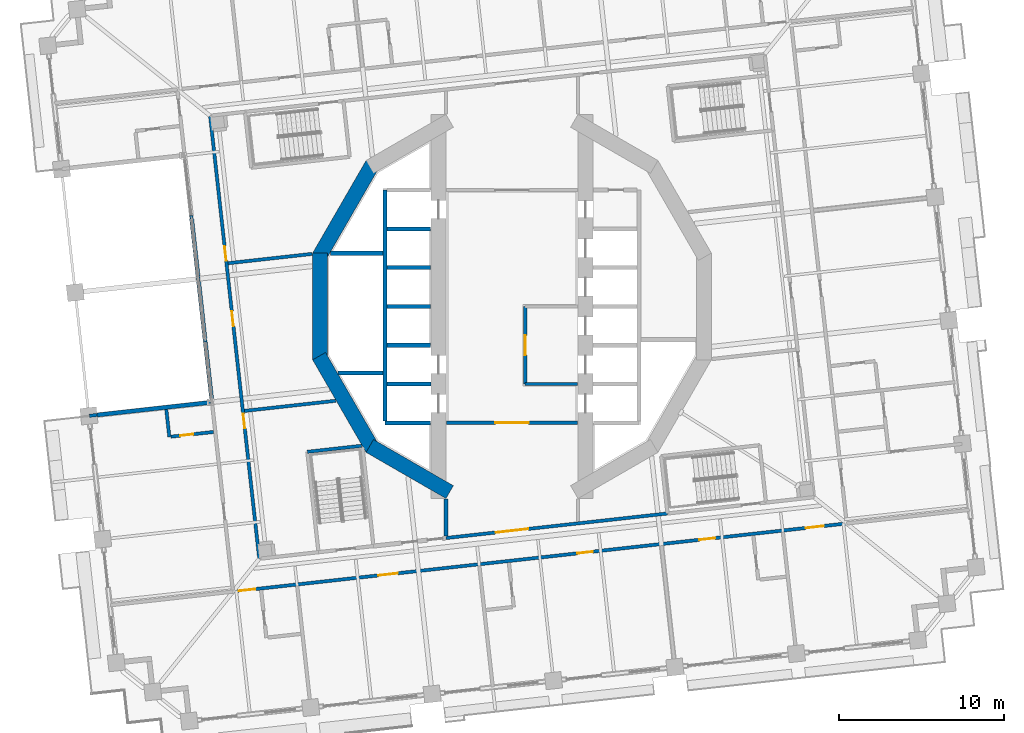
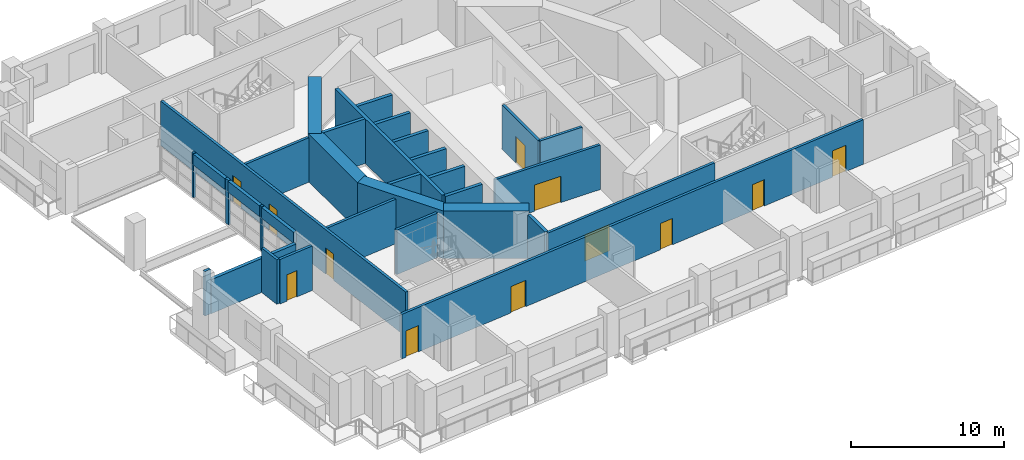
# One storey, part 8 of 21: 33 walls, 12 doors, 12 openings.
"""IFC4 building model written with IfcOpenShell, lengths in metres."""

import ifcopenshell
import ifcopenshell.guid

model = None  # the IFC model being written
_history = None  # IfcOwnerHistory: only IFC2X3 demands one
_inside = {}  # id of a spatial element -> (the spatial element, [elements in it])
_under = {}  # id of a project, library or spatial element -> (it, [spatial elements below it])
_declared = {}  # id of a project -> (the project, [libraries it declares])
_typed = {}  # id of a type object -> (the type object, [elements of that type])
_made_of = {}  # id of a material, layer set ... -> (it, [elements and type objects made of it])


def new_model(schema):
    """Start an empty IFC model of exactly this schema.

    Asked for "IFC4X3", IfcOpenShell would pick the latest addendum, in which some entities
    have other attributes; the version numbers below select the first issue.
    IFC2X3 requires an IfcOwnerHistory on every rooted entity: one is made here for all.
    """
    global model, _history
    if schema == "IFC4X3":
        model = ifcopenshell.file(schema_version=(4, 3, 0, 0))
    else:
        model = ifcopenshell.file(schema=schema)
    _inside.clear()
    _under.clear()
    _declared.clear()
    _typed.clear()
    _made_of.clear()
    _history = None
    if model.schema == "IFC2X3":
        org = make("IfcOrganization", Name="unknown")
        user = make(
            "IfcPersonAndOrganization",
            ThePerson=make("IfcPerson", FamilyName="unknown"),
            TheOrganization=org,
        )
        app = make(
            "IfcApplication",
            ApplicationDeveloper=org,
            Version="unknown",
            ApplicationFullName="unknown",
            ApplicationIdentifier="unknown",
        )
        _history = make(
            "IfcOwnerHistory",
            OwningUser=user,
            OwningApplication=app,
            ChangeAction="ADDED",
            CreationDate=0,
        )
    return model


def make(cls, **values):
    """One entity of the class cls with the attributes given. An attribute that is None is left unset."""
    return model.create_entity(
        cls, **{name: value for name, value in values.items() if value is not None}
    )


def rooted(cls, **values):
    """An entity with a GlobalId (a new one), such as an element, a storey or a relation."""
    return make(cls, GlobalId=ifcopenshell.guid.new(), OwnerHistory=_history, **values)


def si_unit(unit_type, name, prefix=None):
    """IfcSIUnit, for example si_unit("LENGTHUNIT", "METRE", prefix="MILLI")."""
    return make("IfcSIUnit", UnitType=unit_type, Prefix=prefix, Name=name)


def assignment(units):
    """IfcUnitAssignment: the units of a project."""
    return None if units is None else make("IfcUnitAssignment", Units=units)


def point(xyz):
    """IfcCartesianPoint."""
    return None if xyz is None else make("IfcCartesianPoint", Coordinates=xyz)


def direction(xyz):
    """IfcDirection."""
    return None if xyz is None else make("IfcDirection", DirectionRatios=xyz)


def frame(location, z_axis=None, x_axis=None):
    """IfcAxis2Placement3D, a coordinate frame: its origin and axes. An axis left out is left unset."""
    return make(
        "IfcAxis2Placement3D",
        Location=point(location),
        Axis=direction(z_axis),
        RefDirection=direction(x_axis),
    )


def frame_2d(location, x_axis=None):
    """IfcAxis2Placement2D, a coordinate frame in the plane: its origin and x axis."""
    return make(
        "IfcAxis2Placement2D", Location=point(location), RefDirection=direction(x_axis)
    )


def origin():
    """The frame at (0, 0, 0) with its axes left unset."""
    return frame((0.0, 0.0, 0.0))


def place(relative_to, where):
    """IfcLocalPlacement: puts the frame where relative to a parent placement (None: the world)."""
    return make(
        "IfcLocalPlacement", PlacementRelTo=relative_to, RelativePlacement=where
    )


def context(
    kind, dimensions, precision=None, world=None, true_north=None, identifier=None
):
    """IfcGeometricRepresentationContext, for example the 3D "Model" context."""
    return make(
        "IfcGeometricRepresentationContext",
        ContextIdentifier=identifier,
        ContextType=kind,
        CoordinateSpaceDimension=dimensions,
        Precision=precision,
        WorldCoordinateSystem=world,
        TrueNorth=true_north,
    )


def subcontext(parent, identifier, kind, view, scale=None):
    """IfcGeometricRepresentationSubContext, for example "Body" below "Model"."""
    return make(
        "IfcGeometricRepresentationSubContext",
        ContextIdentifier=identifier,
        ContextType=kind,
        ParentContext=parent,
        TargetScale=scale,
        TargetView=view,
    )


def project(units=None, contexts=None):
    """IfcProject with its units and contexts."""
    return rooted(
        "IfcProject",
        Name="project",
        RepresentationContexts=contexts,
        UnitsInContext=assignment(units),
    )


def spatial(cls, under=None, at=None, **own):
    """A site, building, storey or space (cls), placed at a placement, below another one or the project."""
    s = rooted(cls, ObjectPlacement=at, **own)
    if under is not None:
        _under.setdefault(under.id(), (under, []))[1].append(s)
    return s


def profile(cls, at=None, kind="AREA", **sizes):
    """A parametric profile (cls). Its sizes go by their IFC names, for example OverallWidth=200.0."""
    return make(cls, ProfileType=kind, Position=at, **sizes)


def rectangle(**sizes):
    """IfcRectangleProfileDef."""
    return profile("IfcRectangleProfileDef", **sizes)


def extrude(swept, where, along, depth):
    """IfcExtrudedAreaSolid: the profile swept, set in the frame where, extruded along a direction by depth."""
    return make(
        "IfcExtrudedAreaSolid",
        SweptArea=swept,
        Position=where,
        ExtrudedDirection=direction(along),
        Depth=depth,
    )


def shape(context_of_items, identifier, shape_type, items):
    """IfcShapeRepresentation: the items that make up one representation, for example the "Body"."""
    return make(
        "IfcShapeRepresentation",
        ContextOfItems=context_of_items,
        RepresentationIdentifier=identifier,
        RepresentationType=shape_type,
        Items=items,
    )


def material(Name=None, Category=None):
    """IfcMaterial."""
    return make("IfcMaterial", Name=Name, Category=Category)


def layer(
    of_material, thickness, ventilated=None, Name=None, Category=None, Priority=None
):
    """IfcMaterialLayer: one layer of a wall or slab, of a material (None: an air gap)."""
    return make(
        "IfcMaterialLayer",
        Material=of_material,
        LayerThickness=thickness,
        IsVentilated=ventilated,
        Name=Name,
        Category=Category,
        Priority=Priority,
    )


def layer_set(layers, Name=None):
    """IfcMaterialLayerSet."""
    return make("IfcMaterialLayerSet", MaterialLayers=layers, LayerSetName=Name)


def made_of(thing, what):
    """Note that an element or type object is made of a material, layer set ...; save() writes the relation."""
    if what is not None:
        _made_of.setdefault(what.id(), (what, []))[1].append(thing)
    return thing


def type_object(cls, material=None, **own):
    """A type object (cls), such as IfcWallType, which elements share."""
    return made_of(rooted(cls, **own), material)


def element(
    cls,
    number,
    at=None,
    inside=None,
    cuts=None,
    type_object=None,
    material=None,
    context=None,
    identifier="Body",
    shape_type=None,
    held_by="IfcProductDefinitionShape",
    body=None,
    shapes=None,
    **own,
):
    """One element of the class cls, such as IfcWall. Its Tag is "e" and its number.

    at: its placement. inside: the storey or other place that contains it. cuts: it is an
    opening in that element (IfcRelVoidsElement). A single representation is given by context,
    identifier, shape_type and body (its items); several are given by shapes. held_by: the class
    of the entity that holds the representations. save() writes the other relations.
    """
    e = rooted(cls, Tag="e%d" % number, ObjectPlacement=at, **own)
    if body is not None:
        shapes = [shape(context, identifier, shape_type, body)]
    if shapes is not None:
        e.Representation = make(held_by, Representations=shapes)
    if inside is not None:
        _inside.setdefault(inside.id(), (inside, []))[1].append(e)
    if cuts is not None:
        rooted(
            "IfcRelVoidsElement", RelatingBuildingElement=cuts, RelatedOpeningElement=e
        )
    if type_object is not None:
        _typed.setdefault(type_object.id(), (type_object, []))[1].append(e)
    return made_of(e, material)


def fill(opening, filler):
    """IfcRelFillsElement: the door or window that sits in an opening."""
    return rooted(
        "IfcRelFillsElement",
        RelatingOpeningElement=opening,
        RelatedBuildingElement=filler,
    )


def aggregate(whole, parts):
    """IfcRelAggregates: a whole, such as a stair, and the parts it consists of."""
    return rooted("IfcRelAggregates", RelatingObject=whole, RelatedObjects=parts)


def save(model, path):
    """Write the relations noted so far, then the file.

    IfcRelAggregates (storeys below a building ...), IfcRelContainedInSpatialStructure (elements
    in a storey), IfcRelDefinesByType, IfcRelAssociatesMaterial and IfcRelDeclares: one each for
    every whole, place, type object, material and project.
    """
    for whole, parts in _under.values():
        aggregate(whole, parts)
    for where, things in _inside.values():
        rooted(
            "IfcRelContainedInSpatialStructure",
            RelatedElements=things,
            RelatingStructure=where,
        )
    for kind, things in _typed.values():
        rooted("IfcRelDefinesByType", RelatedObjects=things, RelatingType=kind)
    for what, things in _made_of.values():
        rooted("IfcRelAssociatesMaterial", RelatedObjects=things, RelatingMaterial=what)
    for by, libraries in _declared.values():
        rooted("IfcRelDeclares", RelatingContext=by, RelatedDefinitions=libraries)
    model.write(path)


model = new_model("IFC4")

# Units and contexts
model_context = context("Model", 3, precision=1e-05, world=origin(), true_north=direction((0.0, 1.0)))
body_context = subcontext(model_context, "Body", "Model", "MODEL_VIEW")
ifc_project = project(units=[si_unit("LENGTHUNIT", "METRE"), si_unit("AREAUNIT", "SQUARE_METRE"), si_unit("VOLUMEUNIT", "CUBIC_METRE"), si_unit("PLANEANGLEUNIT", "RADIAN"), si_unit("MASSUNIT", "GRAM", prefix="KILO")], contexts=[model_context])

# Site, building, storey
site_placement = place(None, origin())
site = spatial("IfcSite", under=ifc_project, at=site_placement, CompositionType="ELEMENT")
building_placement = place(site_placement, origin())
building = spatial("IfcBuilding", under=site, at=building_placement, Name="Cantera Rosa Tower", CompositionType="ELEMENT")
storey_placement = place(building_placement, frame((0.0, 0.0, 72.89990234375)))
storey = spatial("IfcBuildingStorey", under=building, at=storey_placement, Name="L15", CompositionType="ELEMENT", Elevation=72.89990234375)

# Walls
ifc_material_1 = material(Name="Gypsum board partition")
ifc_layer_1 = layer(ifc_material_1, 0.199951171875)
ifc_layer_set_1 = layer_set([ifc_layer_1], Name="CORRIDOR WALL 200 H3550")
wall_type_1 = type_object("IfcWallType", Name="CORRIDOR WALL 200 H3550", PredefinedType="PARTITIONING", material=ifc_layer_set_1)
wall_1_placement = place(storey_placement, frame((-19.426025390625, 5.5078125, 0.0), z_axis=(0.0, 0.0, 1.0), x_axis=(0.109464795662, -0.993990673251, 0.0)))
element("IfcWall", 1, at=wall_1_placement, inside=storey, type_object=wall_type_1, Name="CORRIDOR WALL L15-008", PredefinedType="PARTITIONING", context=body_context, shape_type="SweptSolid", body=[
    extrude(rectangle(XDim=0.194091796875, YDim=0.199951171875, at=frame_2d((0.09716796875, 0.0))), origin(), (0.0, 0.0, 1.0), 3.550048828125),
])
wall_2_placement = place(storey_placement, frame((-19.01904296875, 1.839111328125, 0.0), z_axis=(0.0, 0.0, 1.0), x_axis=(0.110350781236, -0.993892703002, 0.0)))
element("IfcWall", 2, at=wall_2_placement, inside=storey, type_object=wall_type_1, Name="CORRIDOR WALL L15-009", PredefinedType="PARTITIONING", context=body_context, shape_type="SweptSolid", body=[
    extrude(rectangle(XDim=0.331787109375, YDim=0.199951171875, at=frame_2d((0.166015625, 0.0))), origin(), (0.0, 0.0, 1.0), 3.550048828125),
])
wall_3_placement = place(storey_placement, frame((-18.5966796875, -1.96630859375, 0.0), z_axis=(0.0, 0.0, 1.0), x_axis=(0.110707677326, -0.993853012362, 0.0)))
element("IfcWall", 3, at=wall_3_placement, inside=storey, type_object=wall_type_1, Name="CORRIDOR WALL L15-010", PredefinedType="PARTITIONING", context=body_context, shape_type="SweptSolid", body=[
    extrude(rectangle(XDim=0.194091796875, YDim=0.199951171875, at=frame_2d((0.09716796875, 0.0))), origin(), (0.0, 0.0, 1.0), 3.550048828125),
])

# Wall, openings, doors
wall_4_placement = place(storey_placement, frame((-18.2861328125, 11.55322265625, 0.0), z_axis=(0.0, 0.0, 1.0), x_axis=(0.110315409641, -0.993896629633, 0.0)))
wall_4 = element("IfcWall", 4, at=wall_4_placement, inside=storey, type_object=wall_type_1, Name="CORRIDOR WALL L15-013", PredefinedType="PARTITIONING", context=body_context, shape_type="SweptSolid", body=[
    extrude(rectangle(XDim=27.0, YDim=0.199951171875, at=frame_2d((13.5, 0.0))), origin(), (0.0, 0.0, 1.0), 3.550048828125),
])
opening_1_placement = place(wall_4_placement, frame((7.9423828125, 0.0, 0.0)))
opening_1 = element("IfcOpeningElement", 5, at=opening_1_placement, cuts=wall_4, Name="Opening L15-007", PredefinedType="OPENING", context=body_context, shape_type="SweptSolid", body=[
    extrude(rectangle(XDim=0.89990234375, YDim=2.10009765625, at=frame_2d((0.449951171875, 1.050048828125))), frame((0.0, 0.10986328125, 0.0), z_axis=(0.0, -1.0, 0.0), x_axis=(1.0, 0.0, 0.0)), (0.0, 0.0, 1.0), 0.219970703125),
])
opening_2_placement = place(wall_4_placement, frame((11.925048828125, 0.0, 0.0)))
opening_2 = element("IfcOpeningElement", 6, at=opening_2_placement, cuts=wall_4, Name="Opening L15-008", PredefinedType="OPENING", context=body_context, shape_type="SweptSolid", body=[
    extrude(rectangle(XDim=0.89990234375, YDim=2.10009765625, at=frame_2d((0.449951171875, 1.050048828125))), frame((0.0, 0.10986328125, 0.0), z_axis=(0.0, -1.0, 0.0), x_axis=(1.0, 0.0, 0.0)), (0.0, 0.0, 1.0), 0.219970703125),
])
opening_3_placement = place(wall_4_placement, frame((18.157470703125, 0.0, 0.0)))
opening_3 = element("IfcOpeningElement", 7, at=opening_3_placement, cuts=wall_4, Name="Opening L15-009", PredefinedType="OPENING", context=body_context, shape_type="SweptSolid", body=[
    extrude(rectangle(XDim=0.89990234375, YDim=2.10009765625, at=frame_2d((0.449951171875, 1.050048828125))), frame((0.0, 0.10986328125, 0.0), z_axis=(0.0, -1.0, 0.0), x_axis=(1.0, 0.0, 0.0)), (0.0, 0.0, 1.0), 0.219970703125),
])
ifc_material_2 = material(Name="Timber door leaf", Category="wood")
door_type_1 = type_object("IfcDoorType", Name="SERVICE DOOR 900x2100", OperationType="NOTDEFINED", PredefinedType="DOOR", material=ifc_material_2)
door_1_placement = place(opening_1_placement, origin())
door_1 = element("IfcDoor", 8, at=door_1_placement, inside=storey, type_object=door_type_1, Name="DOOR L15-007", OperationType="NOTDEFINED", OverallHeight=2.10009765625, OverallWidth=0.89990234375, PredefinedType="DOOR", context=body_context, shape_type="SweptSolid", body=[
    extrude(rectangle(XDim=0.89990234375, YDim=2.10009765625, at=frame_2d((0.449951171875, 1.050048828125))), frame((0.0, 0.02490234375, 0.0), z_axis=(0.0, -1.0, 0.0), x_axis=(1.0, 0.0, 0.0)), (0.0, 0.0, 1.0), 0.050048828125),
])
fill(opening_1, door_1)
door_2_placement = place(opening_2_placement, origin())
door_2 = element("IfcDoor", 9, at=door_2_placement, inside=storey, type_object=door_type_1, Name="DOOR L15-008", OperationType="NOTDEFINED", OverallHeight=2.10009765625, OverallWidth=0.89990234375, PredefinedType="DOOR", context=body_context, shape_type="SweptSolid", body=[
    extrude(rectangle(XDim=0.89990234375, YDim=2.10009765625, at=frame_2d((0.449951171875, 1.050048828125))), frame((0.0, 0.02490234375, 0.0), z_axis=(0.0, -1.0, 0.0), x_axis=(1.0, 0.0, 0.0)), (0.0, 0.0, 1.0), 0.050048828125),
])
fill(opening_2, door_2)
door_3_placement = place(opening_3_placement, origin())
door_3 = element("IfcDoor", 10, at=door_3_placement, inside=storey, type_object=door_type_1, Name="DOOR L15-009", OperationType="NOTDEFINED", OverallHeight=2.10009765625, OverallWidth=0.89990234375, PredefinedType="DOOR", context=body_context, shape_type="SweptSolid", body=[
    extrude(rectangle(XDim=0.89990234375, YDim=2.10009765625, at=frame_2d((0.449951171875, 1.050048828125))), frame((0.0, 0.02490234375, 0.0), z_axis=(0.0, -1.0, 0.0), x_axis=(1.0, 0.0, 0.0)), (0.0, 0.0, 1.0), 0.050048828125),
])
fill(opening_3, door_3)

wall_5_placement = place(storey_placement, frame((-16.898193359375, -17.26953125, 0.0), z_axis=(0.0, 0.0, 1.0), x_axis=(0.993896862852, 0.11031330841, 0.0)))
wall_5 = element("IfcWall", 11, at=wall_5_placement, inside=storey, type_object=wall_type_1, Name="CORRIDOR WALL L15-017", PredefinedType="PARTITIONING", context=body_context, shape_type="SweptSolid", body=[
    extrude(rectangle(XDim=37.400146484375, YDim=0.199951171875, at=frame_2d((18.7001953125, 0.0))), origin(), (0.0, 0.0, 1.0), 3.550048828125),
])
opening_4_placement = place(wall_5_placement, frame((8.85009765625, 0.0, 0.0)))
opening_4 = element("IfcOpeningElement", 12, at=opening_4_placement, cuts=wall_5, Name="Opening L15-037", PredefinedType="OPENING", context=body_context, shape_type="SweptSolid", body=[
    extrude(rectangle(XDim=1.199951171875, YDim=2.10009765625, at=frame_2d((0.60009765625, 1.050048828125))), frame((0.0, 0.10986328125, 0.0), z_axis=(0.0, -1.0, 0.0), x_axis=(1.0, 0.0, 0.0)), (0.0, 0.0, 1.0), 0.219970703125),
])
opening_5_placement = place(wall_5_placement, frame((20.97509765625, 0.0, 0.0)))
opening_5 = element("IfcOpeningElement", 13, at=opening_5_placement, cuts=wall_5, Name="Opening L15-038", PredefinedType="OPENING", context=body_context, shape_type="SweptSolid", body=[
    extrude(rectangle(XDim=0.949951171875, YDim=2.10009765625, at=frame_2d((0.47509765625, 1.050048828125))), frame((0.0, 0.10986328125, 0.0), z_axis=(0.0, -1.0, 0.0), x_axis=(1.0, 0.0, 0.0)), (0.0, 0.0, 1.0), 0.219970703125),
])
opening_6_placement = place(wall_5_placement, frame((28.425048828125, 0.0, 0.0)))
opening_6 = element("IfcOpeningElement", 14, at=opening_6_placement, cuts=wall_5, Name="Opening L15-040", PredefinedType="OPENING", context=body_context, shape_type="SweptSolid", body=[
    extrude(rectangle(XDim=0.949951171875, YDim=2.10009765625, at=frame_2d((0.47509765625, 1.050048828125))), frame((0.0, 0.10986328125, 0.0), z_axis=(0.0, -1.0, 0.0), x_axis=(1.0, 0.0, 0.0)), (0.0, 0.0, 1.0), 0.219970703125),
])
opening_7_placement = place(wall_5_placement, frame((0.35009765625, 0.0, 0.0)))
opening_7 = element("IfcOpeningElement", 15, at=opening_7_placement, cuts=wall_5, Name="Opening L15-042", PredefinedType="OPENING", context=body_context, shape_type="SweptSolid", body=[
    extrude(rectangle(XDim=1.0, YDim=2.10009765625, at=frame_2d((0.5, 1.050048828125))), frame((0.0, 0.10986328125, 0.0), z_axis=(0.0, -1.0, 0.0), x_axis=(1.0, 0.0, 0.0)), (0.0, 0.0, 1.0), 0.219970703125),
])
opening_8_placement = place(wall_5_placement, frame((34.89990234375, 0.0, 0.0)))
opening_8 = element("IfcOpeningElement", 16, at=opening_8_placement, cuts=wall_5, Name="Opening L15-044", PredefinedType="OPENING", context=body_context, shape_type="SweptSolid", body=[
    extrude(rectangle(XDim=1.10009765625, YDim=2.10009765625, at=frame_2d((0.550048828125, 1.050048828125))), frame((0.0, 0.10986328125, 0.0), z_axis=(0.0, -1.0, 0.0), x_axis=(1.0, 0.0, 0.0)), (0.0, 0.0, 1.0), 0.219970703125),
])
ifc_material_3 = material(Name="Timber door leaf", Category="wood")
door_type_2 = type_object("IfcDoorType", Name="ENTRANCE DOOR 1000x2100", OperationType="NOTDEFINED", PredefinedType="DOOR", material=ifc_material_3)
door_4_placement = place(opening_7_placement, origin())
door_4 = element("IfcDoor", 17, at=door_4_placement, inside=storey, type_object=door_type_2, Name="DOOR L15-042", OperationType="NOTDEFINED", OverallHeight=2.10009765625, OverallWidth=1.0, PredefinedType="DOOR", context=body_context, shape_type="SweptSolid", body=[
    extrude(rectangle(XDim=1.0, YDim=2.10009765625, at=frame_2d((0.5, 1.050048828125))), frame((0.0, 0.02490234375, 0.0), z_axis=(0.0, -1.0, 0.0), x_axis=(1.0, 0.0, 0.0)), (0.0, 0.0, 1.0), 0.050048828125),
])
fill(opening_7, door_4)
ifc_material_4 = material(Name="Timber door leaf", Category="wood")
door_type_3 = type_object("IfcDoorType", Name="ROOM DOOR 1100x2100", OperationType="NOTDEFINED", PredefinedType="DOOR", material=ifc_material_4)
door_5_placement = place(opening_8_placement, origin())
door_5 = element("IfcDoor", 18, at=door_5_placement, inside=storey, type_object=door_type_3, Name="DOOR L15-044", OperationType="NOTDEFINED", OverallHeight=2.10009765625, OverallWidth=1.10009765625, PredefinedType="DOOR", context=body_context, shape_type="SweptSolid", body=[
    extrude(rectangle(XDim=1.10009765625, YDim=2.10009765625, at=frame_2d((0.550048828125, 1.050048828125))), frame((0.0, 0.02490234375, 0.0), z_axis=(0.0, -1.0, 0.0), x_axis=(1.0, 0.0, 0.0)), (0.0, 0.0, 1.0), 0.050048828125),
])
fill(opening_8, door_5)
ifc_material_5 = material(Name="Timber door leaf", Category="wood")
door_type_4 = type_object("IfcDoorType", Name="ROOM DOOR 1200x2100", OperationType="NOTDEFINED", PredefinedType="DOOR", material=ifc_material_5)
door_6_placement = place(opening_4_placement, origin())
door_6 = element("IfcDoor", 19, at=door_6_placement, inside=storey, type_object=door_type_4, Name="DOOR L15-037", OperationType="NOTDEFINED", OverallHeight=2.10009765625, OverallWidth=1.199951171875, PredefinedType="DOOR", context=body_context, shape_type="SweptSolid", body=[
    extrude(rectangle(XDim=1.199951171875, YDim=2.10009765625, at=frame_2d((0.60009765625, 1.050048828125))), frame((0.0, 0.02490234375, 0.0), z_axis=(0.0, -1.0, 0.0), x_axis=(1.0, 0.0, 0.0)), (0.0, 0.0, 1.0), 0.050048828125),
])
fill(opening_4, door_6)
ifc_material_6 = material(Name="Timber door leaf", Category="wood")
door_type_5 = type_object("IfcDoorType", Name="ROOM DOOR 950x2100", OperationType="NOTDEFINED", PredefinedType="DOOR", material=ifc_material_6)
door_7_placement = place(opening_5_placement, origin())
door_7 = element("IfcDoor", 20, at=door_7_placement, inside=storey, type_object=door_type_5, Name="DOOR L15-038", OperationType="NOTDEFINED", OverallHeight=2.10009765625, OverallWidth=0.949951171875, PredefinedType="DOOR", context=body_context, shape_type="SweptSolid", body=[
    extrude(rectangle(XDim=0.949951171875, YDim=2.10009765625, at=frame_2d((0.47509765625, 1.050048828125))), frame((0.0, 0.02490234375, 0.0), z_axis=(0.0, -1.0, 0.0), x_axis=(1.0, 0.0, 0.0)), (0.0, 0.0, 1.0), 0.050048828125),
])
fill(opening_5, door_7)
door_8_placement = place(opening_6_placement, origin())
door_8 = element("IfcDoor", 21, at=door_8_placement, inside=storey, type_object=door_type_5, Name="DOOR L15-040", OperationType="NOTDEFINED", OverallHeight=2.10009765625, OverallWidth=0.949951171875, PredefinedType="DOOR", context=body_context, shape_type="SweptSolid", body=[
    extrude(rectangle(XDim=0.949951171875, YDim=2.10009765625, at=frame_2d((0.47509765625, 1.050048828125))), frame((0.0, 0.02490234375, 0.0), z_axis=(0.0, -1.0, 0.0), x_axis=(1.0, 0.0, 0.0)), (0.0, 0.0, 1.0), 0.050048828125),
])
fill(opening_6, door_8)

# Wall, opening, door
wall_6_placement = place(storey_placement, frame((-4.0, -14.02685546875, 0.0), z_axis=(0.0, 0.0, 1.0), x_axis=(0.993897619869, 0.110306487659, 0.0)))
wall_6 = element("IfcWall", 22, at=wall_6_placement, inside=storey, type_object=wall_type_1, Name="CORRIDOR WALL L15-051", PredefinedType="PARTITIONING", context=body_context, shape_type="SweptSolid", body=[
    extrude(rectangle(XDim=13.5009765625, YDim=0.199951171875, at=frame_2d((6.75048828125, 0.0))), origin(), (0.0, 0.0, 1.0), 3.550048828125),
])
opening_9_placement = place(wall_6_placement, frame((3.024658203125, 0.0, 0.0)))
opening_9 = element("IfcOpeningElement", 23, at=opening_9_placement, cuts=wall_6, Name="Opening L15-014", PredefinedType="OPENING", context=body_context, shape_type="SweptSolid", body=[
    extrude(rectangle(XDim=2.0, YDim=2.10009765625, at=frame_2d((1.0, 1.050048828125))), frame((0.0, 0.10986328125, 0.0), z_axis=(0.0, -1.0, 0.0), x_axis=(1.0, 0.0, 0.0)), (0.0, 0.0, 1.0), 0.219970703125),
])
ifc_material_7 = material(Name="Steel S355J2 (EN 10025-2)", Category="steel")
door_type_6 = type_object("IfcDoorType", Name="LOBBY SCREEN DOOR 2000x2100", OperationType="NOTDEFINED", PredefinedType="DOOR", material=ifc_material_7)
door_9_placement = place(opening_9_placement, origin())
door_9 = element("IfcDoor", 24, at=door_9_placement, inside=storey, type_object=door_type_6, Name="DOOR L15-014", OperationType="NOTDEFINED", OverallHeight=2.10009765625, OverallWidth=2.0, PredefinedType="DOOR", context=body_context, shape_type="SweptSolid", body=[
    extrude(rectangle(XDim=2.0, YDim=2.10009765625, at=frame_2d((1.0, 1.050048828125))), frame((0.0, 0.02490234375, 0.0), z_axis=(0.0, -1.0, 0.0), x_axis=(1.0, 0.0, 0.0)), (0.0, 0.0, 1.0), 0.050048828125),
])
fill(opening_9, door_9)

wall_7_placement = place(storey_placement, frame((3.969970703125, -7.050048828125, 0.0), z_axis=(0.0, 0.0, 1.0), x_axis=(-1.0, 0.0, 0.0)))
wall_7 = element("IfcWall", 25, at=wall_7_placement, inside=storey, type_object=wall_type_1, Name="CORRIDOR WALL L15-061", PredefinedType="PARTITIONING", context=body_context, shape_type="SweptSolid", body=[
    extrude(rectangle(XDim=7.93994140625, YDim=0.199951171875, at=frame_2d((3.969970703125, 0.0))), origin(), (0.0, 0.0, 1.0), 3.550048828125),
])
opening_10_placement = place(wall_7_placement, frame((2.969970703125, 0.0, 0.0)))
opening_10 = element("IfcOpeningElement", 26, at=opening_10_placement, cuts=wall_7, Name="Opening L15-015", PredefinedType="OPENING", context=body_context, shape_type="SweptSolid", body=[
    extrude(rectangle(XDim=2.0, YDim=2.10009765625, at=frame_2d((1.0, 1.050048828125))), frame((0.0, 0.10986328125, 0.0), z_axis=(0.0, -1.0, 0.0), x_axis=(1.0, 0.0, 0.0)), (0.0, 0.0, 1.0), 0.219970703125),
])
door_10_placement = place(opening_10_placement, origin())
door_10 = element("IfcDoor", 27, at=door_10_placement, inside=storey, type_object=door_type_6, Name="DOOR L15-015", OperationType="NOTDEFINED", OverallHeight=2.10009765625, OverallWidth=2.0, PredefinedType="DOOR", context=body_context, shape_type="SweptSolid", body=[
    extrude(rectangle(XDim=2.0, YDim=2.10009765625, at=frame_2d((1.0, 1.050048828125))), frame((0.0, 0.02490234375, 0.0), z_axis=(0.0, -1.0, 0.0), x_axis=(1.0, 0.0, 0.0)), (0.0, 0.0, 1.0), 0.050048828125),
])
fill(opening_10, door_10)

# Walls
ifc_material_8 = material(Name="Concrete C40/50", Category="concrete")
ifc_layer_2 = layer(ifc_material_8, 0.25)
ifc_layer_set_2 = layer_set([ifc_layer_2], Name="EW-POCKET CHEEK 250 H2710")
wall_type_2 = type_object("IfcWallType", Name="EW-POCKET CHEEK 250 H2710", PredefinedType="SOLIDWALL", material=ifc_layer_set_2)
wall_8_placement = place(storey_placement, frame((-25.12841796875, -6.572021484375, 0.0), z_axis=(0.0, 0.0, 1.0), x_axis=(0.993899689646, 0.11028783669, 0.0)))
element("IfcWall", 28, at=wall_8_placement, inside=storey, type_object=wall_type_2, Name="POCKET CHEEK B L15", PredefinedType="SOLIDWALL", context=body_context, shape_type="SweptSolid", body=[
    extrude(rectangle(XDim=6.89990234375, YDim=0.25, at=frame_2d((3.449951171875, 0.0))), origin(), (0.0, 0.0, 1.0), 2.710205078125),
])
ifc_material_9 = material(Name="Hollow clay masonry with cantera stone cladding", Category="masonry")
ifc_layer_3 = layer(ifc_material_9, 0.25)
ifc_layer_set_3 = layer_set([ifc_layer_3], Name="EW-POCKET REAR 250")
wall_type_3 = type_object("IfcWallType", Name="EW-POCKET REAR 250", PredefinedType="SOLIDWALL", material=ifc_layer_set_3)
for number, where, z_axis, x_axis, name in (
    (29, (-19.40478515625, 5.31494140625, 2.634033203125), (0.0, 0.0, 1.0), (0.110301268149, -0.993898199135, 0.0), "POCKET SPANDREL L15-2"),
    (30, (-18.982421875, 1.50927734375, 2.634033203125), (0.0, 0.0, 1.0), (0.110301268149, -0.993898199135, 0.0), "POCKET SPANDREL L15-3"),
):
    element("IfcWall", number, at=place(storey_placement, frame(where, z_axis=z_axis, x_axis=x_axis)), inside=storey, type_object=wall_type_3, Name=name, PredefinedType="SOLIDWALL", context=body_context, shape_type="SweptSolid", body=[
        extrude(rectangle(XDim=3.4970703125, YDim=0.25, at=frame_2d((1.74853515625, 0.0))), origin(), (0.0, 0.0, 1.0), 0.865966796875),
    ])
wall_9_placement = place(storey_placement, frame((-18.5751953125, -2.1591796875, 2.634033203125), z_axis=(0.0, 0.0, 1.0), x_axis=(0.110333072464, -0.993894669027, 0.0)))
element("IfcWall", 31, at=wall_9_placement, inside=storey, type_object=wall_type_3, Name="POCKET SPANDREL L15-4", PredefinedType="SOLIDWALL", context=body_context, shape_type="SweptSolid", body=[
    extrude(rectangle(XDim=3.5380859375, YDim=0.25, at=frame_2d((1.76904296875, 0.0))), origin(), (0.0, 0.0, 1.0), 0.865966796875),
])
ifc_material_10 = material(Name="Gypsum board partition")
ifc_layer_4 = layer(ifc_material_10, 0.199951171875)
ifc_layer_set_4 = layer_set([ifc_layer_4], Name="PARTITION 200 H3550")
wall_type_4 = type_object("IfcWallType", Name="PARTITION 200 H3550", PredefinedType="PARTITIONING", material=ifc_layer_set_4)
wall_10_placement = place(storey_placement, frame((-25.595458984375, -6.623779296875, 0.0), z_axis=(0.0, 0.0, 1.0), x_axis=(0.993915374171, 0.110146397974, 0.0)))
element("IfcWall", 32, at=wall_10_placement, inside=storey, type_object=wall_type_4, Name="PARTITION L15-001", PredefinedType="PARTITIONING", context=body_context, shape_type="SweptSolid", body=[
    extrude(rectangle(XDim=0.469970703125, YDim=0.199951171875, at=frame_2d((0.23486328125, 0.0))), origin(), (0.0, 0.0, 1.0), 3.550048828125),
])
wall_11_placement = place(storey_placement, frame((-20.75537109375, -7.897705078125, 0.0), z_axis=(0.0, 0.0, 1.0), x_axis=(-0.11041543208, 0.993885522763, 0.0)))
element("IfcWall", 33, at=wall_11_placement, inside=storey, type_object=wall_type_4, Name="PARTITION L15-005", PredefinedType="PARTITIONING", context=body_context, shape_type="SweptSolid", body=[
    extrude(rectangle(XDim=1.6650390625, YDim=0.199951171875, at=frame_2d((0.83251953125, 0.0))), origin(), (0.0, 0.0, 1.0), 3.550048828125),
])

# Wall, opening, door
wall_12_placement = place(storey_placement, frame((-18.072021484375, -7.599853515625, 0.0), z_axis=(0.0, 0.0, 1.0), x_axis=(-0.993894037028, -0.110338765449, 0.0)))
wall_12 = element("IfcWall", 34, at=wall_12_placement, inside=storey, type_object=wall_type_4, Name="PARTITION L15-015", PredefinedType="PARTITIONING", context=body_context, shape_type="SweptSolid", body=[
    extrude(rectangle(XDim=2.599853515625, YDim=0.199951171875, at=frame_2d((1.2998046875, 0.0))), origin(), (0.0, 0.0, 1.0), 3.550048828125),
])
opening_11_placement = place(wall_12_placement, frame((1.236083984375, 0.0, 0.0)))
opening_11 = element("IfcOpeningElement", 35, at=opening_11_placement, cuts=wall_12, Name="Opening L15-036", PredefinedType="OPENING", context=body_context, shape_type="SweptSolid", body=[
    extrude(rectangle(XDim=0.800048828125, YDim=2.10009765625, at=frame_2d((0.39990234375, 1.050048828125))), frame((0.0, 0.10986328125, 0.0), z_axis=(0.0, -1.0, 0.0), x_axis=(1.0, 0.0, 0.0)), (0.0, 0.0, 1.0), 0.219970703125),
])
ifc_material_11 = material(Name="Timber door leaf", Category="wood")
door_type_7 = type_object("IfcDoorType", Name="BATHROOM DOOR 800x2100", OperationType="NOTDEFINED", PredefinedType="DOOR", material=ifc_material_11)
door_11_placement = place(opening_11_placement, origin())
door_11 = element("IfcDoor", 36, at=door_11_placement, inside=storey, type_object=door_type_7, Name="DOOR L15-036", OperationType="NOTDEFINED", OverallHeight=2.10009765625, OverallWidth=0.800048828125, PredefinedType="DOOR", context=body_context, shape_type="SweptSolid", body=[
    extrude(rectangle(XDim=0.800048828125, YDim=2.10009765625, at=frame_2d((0.39990234375, 1.050048828125))), frame((0.0, 0.02490234375, 0.0), z_axis=(0.0, -1.0, 0.0), x_axis=(1.0, 0.0, 0.0)), (0.0, 0.0, 1.0), 0.050048828125),
])
fill(opening_11, door_11)

# Walls
wall_13_placement = place(storey_placement, frame((-12.10400390625, 3.18408203125, 0.0), z_axis=(0.0, 0.0, 1.0), x_axis=(-0.993901744429, -0.110269317674, 0.0)))
element("IfcWall", 37, at=wall_13_placement, inside=storey, type_object=wall_type_4, Name="PARTITION L15-029", PredefinedType="PARTITIONING", context=body_context, shape_type="SweptSolid", body=[
    extrude(rectangle(XDim=5.12109375, YDim=0.199951171875, at=frame_2d((2.560546875, 0.0))), origin(), (0.0, 0.0, 1.0), 3.550048828125),
])
wall_14_placement = place(storey_placement, frame((-10.67822265625, -5.712890625, 0.0), z_axis=(0.0, 0.0, 1.0), x_axis=(-0.993900868117, -0.110277215939, 0.0)))
element("IfcWall", 38, at=wall_14_placement, inside=storey, type_object=wall_type_4, Name="PARTITION L15-034", PredefinedType="PARTITIONING", context=body_context, shape_type="SweptSolid", body=[
    extrude(rectangle(XDim=5.556884765625, YDim=0.199951171875, at=frame_2d((2.7783203125, 0.0))), origin(), (0.0, 0.0, 1.0), 3.550048828125),
])
ifc_material_12 = material(Name="Concrete C70/85", Category="concrete")
ifc_layer_5 = layer(ifc_material_12, 0.89990234375)
ifc_layer_set_5 = layer_set([ifc_layer_5], Name="RC CORE WALL 900 C70/85")
wall_type_5 = type_object("IfcWallType", Name="RC CORE WALL 900 C70/85", PredefinedType="SHEAR", material=ifc_layer_set_5)
wall_15_placement = place(storey_placement, frame((-3.77490234375, -11.242919921875, 0.0), z_axis=(0.0, 0.0, 1.0), x_axis=(-0.866026961591, 0.49999730179, 0.0)))
element("IfcWall", 39, at=wall_15_placement, inside=storey, type_object=wall_type_5, Name="CW-W1 L15", PredefinedType="SHEAR", context=body_context, shape_type="SweptSolid", body=[
    extrude(rectangle(XDim=5.58740234375, YDim=0.89990234375, at=frame_2d((2.793701171875, 0.0))), origin(), (0.0, 0.0, 1.0), 3.800048828125),
])
wall_16_placement = place(storey_placement, frame((-8.44921875, -8.61376953125, 0.0), z_axis=(0.0, 0.0, 1.0), x_axis=(-0.499990282633, 0.866031014036, 0.0)))
element("IfcWall", 40, at=wall_16_placement, inside=storey, type_object=wall_type_5, Name="CW-W2 L15", PredefinedType="SHEAR", context=body_context, shape_type="SweptSolid", body=[
    extrude(rectangle(XDim=6.470458984375, YDim=0.89990234375, at=frame_2d((3.2353515625, 0.0))), origin(), (0.0, 0.0, 1.0), 3.800048828125),
])
wall_17_placement = place(storey_placement, frame((-11.6240234375, -3.2353515625, 0.0), z_axis=(0.0, 0.0, 1.0), x_axis=(0.0, 1.0, 0.0)))
element("IfcWall", 41, at=wall_17_placement, inside=storey, type_object=wall_type_5, Name="CW-W3 L15", PredefinedType="SHEAR", context=body_context, shape_type="SweptSolid", body=[
    extrude(rectangle(XDim=6.470703125, YDim=0.89990234375, at=frame_2d((3.2353515625, 0.0))), origin(), (0.0, 0.0, 1.0), 3.800048828125),
])
wall_18_placement = place(storey_placement, frame((-11.684326171875, 3.01025390625, 0.0), z_axis=(0.0, 0.0, 1.0), x_axis=(0.499990282633, 0.866031014036, 0.0)))
element("IfcWall", 42, at=wall_18_placement, inside=storey, type_object=wall_type_5, Name="CW-W4 L15", PredefinedType="SHEAR", context=body_context, shape_type="SweptSolid", body=[
    extrude(rectangle(XDim=6.470458984375, YDim=0.89990234375, at=frame_2d((3.2353515625, 0.0))), origin(), (0.0, 0.0, 1.0), 3.800048828125),
])
ifc_material_13 = material(Name="Masonry blockwork", Category="masonry")
ifc_layer_6 = layer(ifc_material_13, 0.25)
ifc_layer_set_6 = layer_set([ifc_layer_6], Name="SHAFT WALL 250 H3550")
wall_type_6 = type_object("IfcWallType", Name="SHAFT WALL 250 H3550", PredefinedType="SOLIDWALL", material=ifc_layer_set_6)
wall_19_placement = place(storey_placement, frame((-11.0068359375, 3.2236328125, 0.0), z_axis=(0.0, 0.0, 1.0), x_axis=(1.0, 0.0, 0.0)))
element("IfcWall", 43, at=wall_19_placement, inside=storey, type_object=wall_type_6, Name="SHAFT WALL L15-032", PredefinedType="SOLIDWALL", context=body_context, shape_type="SweptSolid", body=[
    extrude(rectangle(XDim=3.181884765625, YDim=0.25, at=frame_2d((1.5908203125, 0.0))), origin(), (0.0, 0.0, 1.0), 3.550048828125),
])
wall_20_placement = place(storey_placement, frame((-10.54150390625, -4.029541015625, 0.0), z_axis=(0.0, 0.0, 1.0), x_axis=(1.0, 0.0, 0.0)))
element("IfcWall", 44, at=wall_20_placement, inside=storey, type_object=wall_type_6, Name="SHAFT WALL L15-035", PredefinedType="SOLIDWALL", context=body_context, shape_type="SweptSolid", body=[
    extrude(rectangle(XDim=2.716552734375, YDim=0.25, at=frame_2d((1.3583984375, 0.0))), origin(), (0.0, 0.0, 1.0), 3.550048828125),
])
wall_21_placement = place(storey_placement, frame((-7.699951171875, -7.050048828125, 0.0), z_axis=(0.0, 0.0, 1.0), x_axis=(1.0, 0.0, 0.0)))
element("IfcWall", 45, at=wall_21_placement, inside=storey, type_object=wall_type_6, Name="SHAFT WALL L15-042", PredefinedType="SOLIDWALL", context=body_context, shape_type="SweptSolid", body=[
    extrude(rectangle(XDim=2.77001953125, YDim=0.25, at=frame_2d((1.385009765625, 0.0))), origin(), (0.0, 0.0, 1.0), 3.550048828125),
])
wall_22_placement = place(storey_placement, frame((-7.574951171875, -4.699951171875, 0.0), z_axis=(0.0, 0.0, 1.0), x_axis=(1.0, 0.0, 0.0)))
element("IfcWall", 46, at=wall_22_placement, inside=storey, type_object=wall_type_6, Name="SHAFT WALL L15-043", PredefinedType="SOLIDWALL", context=body_context, shape_type="SweptSolid", body=[
    extrude(rectangle(XDim=2.675048828125, YDim=0.25, at=frame_2d((1.33740234375, 0.0))), origin(), (0.0, 0.0, 1.0), 3.550048828125),
])
for number, where, z_axis, x_axis, name in (
    (47, (-7.574951171875, -2.35009765625, 0.0), (0.0, 0.0, 1.0), (1.0, 0.0, 0.0), "SHAFT WALL L15-044"),
    (48, (-7.574951171875, 0.0, 0.0), (0.0, 0.0, 1.0), (1.0, 0.0, 0.0), "SHAFT WALL L15-045"),
    (49, (-7.574951171875, 2.35009765625, 0.0), (0.0, 0.0, 1.0), (1.0, 0.0, 0.0), "SHAFT WALL L15-046"),
    (50, (-7.574951171875, 4.699951171875, 0.0), (0.0, 0.0, 1.0), (1.0, 0.0, 0.0), "SHAFT WALL L15-047"),
):
    element("IfcWall", number, at=place(storey_placement, frame(where, z_axis=z_axis, x_axis=x_axis)), inside=storey, type_object=wall_type_6, Name=name, PredefinedType="SOLIDWALL", context=body_context, shape_type="SweptSolid", body=[
        extrude(rectangle(XDim=2.64501953125, YDim=0.25, at=frame_2d((1.322509765625, 0.0))), origin(), (0.0, 0.0, 1.0), 3.550048828125),
    ])
wall_23_placement = place(storey_placement, frame((-7.699951171875, 7.050048828125, 0.0), z_axis=(0.0, 0.0, 1.0), x_axis=(0.0, -1.0, 0.0)))
element("IfcWall", 51, at=wall_23_placement, inside=storey, type_object=wall_type_6, Name="SHAFT WALL L15-048", PredefinedType="SOLIDWALL", context=body_context, shape_type="SweptSolid", body=[
    extrude(rectangle(XDim=13.97998046875, YDim=0.25, at=frame_2d((6.989990234375, 0.0))), origin(), (0.0, 0.0, 1.0), 3.550048828125),
])
wall_24_placement = place(storey_placement, frame((-4.0, -11.667236328125, 0.0), z_axis=(0.0, 0.0, 1.0), x_axis=(0.0, -1.0, 0.0)))
element("IfcWall", 52, at=wall_24_placement, inside=storey, type_object=wall_type_6, Name="SHAFT WALL L15-052", PredefinedType="SOLIDWALL", context=body_context, shape_type="SweptSolid", body=[
    extrude(rectangle(XDim=2.23974609375, YDim=0.25, at=frame_2d((1.119873046875, 0.0))), origin(), (0.0, 0.0, 1.0), 3.550048828125),
])
ifc_material_14 = material(Name="Concrete C50/60", Category="concrete")
ifc_layer_7 = layer(ifc_material_14, 0.199951171875)
ifc_layer_set_7 = layer_set([ifc_layer_7], Name="STAIR WALL 200 H3550")
wall_type_7 = type_object("IfcWallType", Name="STAIR WALL 200 H3550", PredefinedType="SOLIDWALL", material=ifc_layer_set_7)
wall_25_placement = place(storey_placement, frame((-9.10498046875, -8.437744140625, 0.0), z_axis=(0.0, 0.0, 1.0), x_axis=(-0.993897215684, -0.110310129436, 0.0)))
element("IfcWall", 53, at=wall_25_placement, inside=storey, type_object=wall_type_7, Name="STAIR WALL L15-038", PredefinedType="SOLIDWALL", context=body_context, shape_type="SweptSolid", body=[
    extrude(rectangle(XDim=3.31103515625, YDim=0.199951171875, at=frame_2d((1.655517578125, 0.0))), origin(), (0.0, 0.0, 1.0), 3.550048828125),
])

# Wall, opening, door
wall_26_placement = place(storey_placement, frame((0.800048828125, -4.699951171875, 0.0), z_axis=(0.0, 0.0, 1.0), x_axis=(0.0, 1.0, 0.0)))
wall_26 = element("IfcWall", 54, at=wall_26_placement, inside=storey, type_object=wall_type_7, Name="STAIR WALL L15-058", PredefinedType="SOLIDWALL", context=body_context, shape_type="SweptSolid", body=[
    extrude(rectangle(XDim=4.699951171875, YDim=0.199951171875, at=frame_2d((2.35009765625, 0.0))), origin(), (0.0, 0.0, 1.0), 3.550048828125),
])
opening_12_placement = place(wall_26_placement, frame((1.75, 0.0, 0.0)))
opening_12 = element("IfcOpeningElement", 55, at=opening_12_placement, cuts=wall_26, Name="Opening L15-016", PredefinedType="OPENING", context=body_context, shape_type="SweptSolid", body=[
    extrude(rectangle(XDim=1.199951171875, YDim=2.10009765625, at=frame_2d((0.60009765625, 1.050048828125))), frame((0.0, 0.10986328125, 0.0), z_axis=(0.0, -1.0, 0.0), x_axis=(1.0, 0.0, 0.0)), (0.0, 0.0, 1.0), 0.219970703125),
])
ifc_material_15 = material(Name="Steel S355J2 (EN 10025-2)", Category="steel")
door_type_8 = type_object("IfcDoorType", Name="FIRE DOOR 1200x2100", OperationType="NOTDEFINED", PredefinedType="DOOR", material=ifc_material_15)
door_12_placement = place(opening_12_placement, origin())
door_12 = element("IfcDoor", 56, at=door_12_placement, inside=storey, type_object=door_type_8, Name="DOOR L15-016", OperationType="NOTDEFINED", OverallHeight=2.10009765625, OverallWidth=1.199951171875, PredefinedType="DOOR", context=body_context, shape_type="SweptSolid", body=[
    extrude(rectangle(XDim=1.199951171875, YDim=2.10009765625, at=frame_2d((0.60009765625, 1.050048828125))), frame((0.0, 0.02490234375, 0.0), z_axis=(0.0, -1.0, 0.0), x_axis=(1.0, 0.0, 0.0)), (0.0, 0.0, 1.0), 0.050048828125),
])
fill(opening_12, door_12)

# Wall
wall_27_placement = place(storey_placement, frame((3.969970703125, -4.699951171875, 0.0), z_axis=(0.0, 0.0, 1.0), x_axis=(-1.0, 0.0, 0.0)))
element("IfcWall", 57, at=wall_27_placement, inside=storey, type_object=wall_type_7, Name="STAIR WALL L15-062", PredefinedType="SOLIDWALL", context=body_context, shape_type="SweptSolid", body=[
    extrude(rectangle(XDim=3.169921875, YDim=0.199951171875, at=frame_2d((1.5849609375, 0.0))), origin(), (0.0, 0.0, 1.0), 3.550048828125),
])

save(model, "model.ifc")
